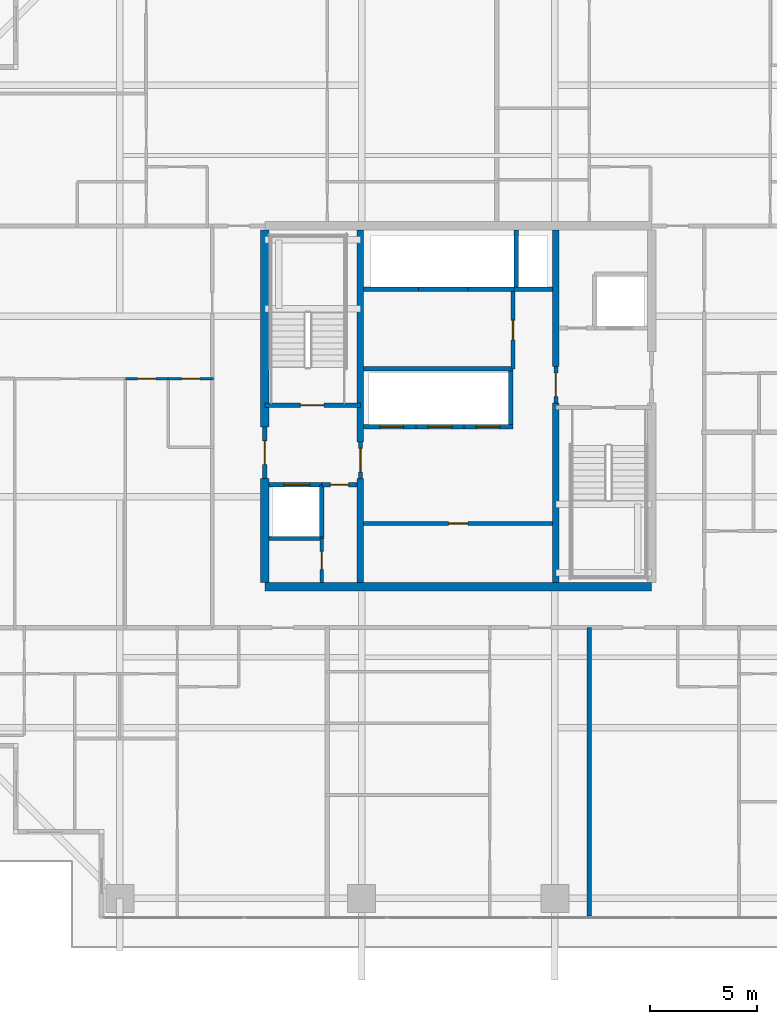
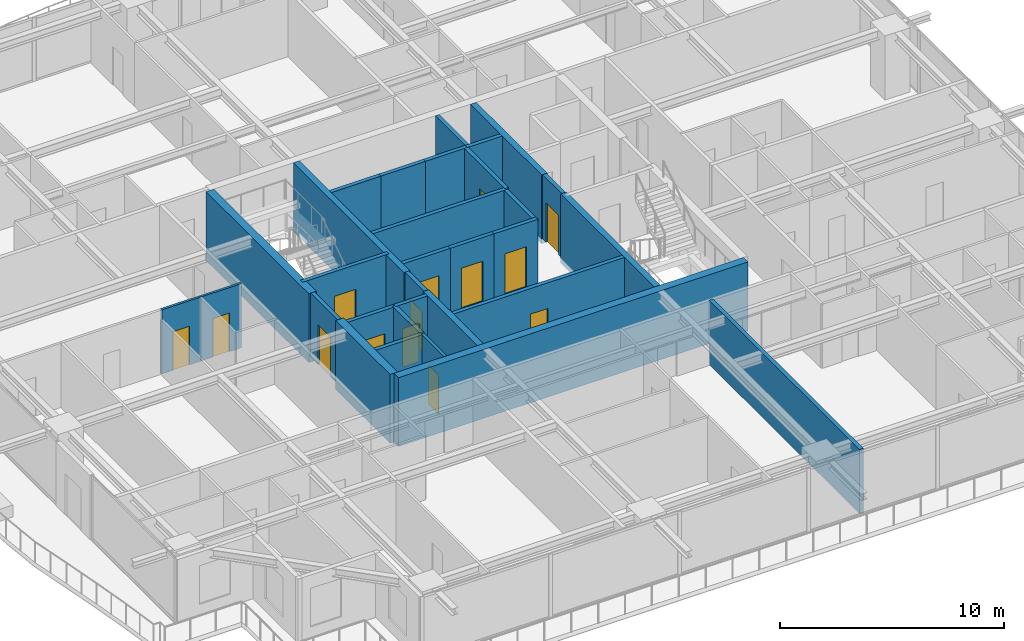
# One storey, part 28 of 38: 31 walls, 14 doors, 14 openings.
"""IFC4 building model written with IfcOpenShell, lengths in metres."""

from ifc_helpers import new_model, si_unit, direction, frame, frame_2d, origin, place, context, subcontext, project, spatial, rectangle, extrude, source, transform, mapped, material, layer, layer_set, type_object, element, fill, save


model = new_model("IFC4")

# Units and contexts
model_context = context("Model", 3, precision=1e-05, world=origin(), true_north=direction((0.0, 1.0)))
body_context = subcontext(model_context, "Body", "Model", "MODEL_VIEW")
ifc_project = project(units=[si_unit("LENGTHUNIT", "METRE"), si_unit("AREAUNIT", "SQUARE_METRE"), si_unit("VOLUMEUNIT", "CUBIC_METRE"), si_unit("PLANEANGLEUNIT", "RADIAN"), si_unit("MASSUNIT", "GRAM", prefix="KILO")], contexts=[model_context])

# Site, building, storey
site_placement = place(None, origin())
site = spatial("IfcSite", under=ifc_project, at=site_placement, CompositionType="ELEMENT")
building_placement = place(site_placement, origin())
building = spatial("IfcBuilding", under=site, at=building_placement, Name="Serunith Strait Residences", CompositionType="ELEMENT")
storey_placement = place(building_placement, frame((0.0, 0.0, 183.89990234375)))
storey = spatial("IfcBuildingStorey", under=building, at=storey_placement, Name="L46", CompositionType="ELEMENT", Elevation=183.89990234375)

# Wall, opening, door
ifc_material_1 = material(Name="Fire-rated masonry service closet wall", Category="masonry")
ifc_layer_1 = layer(ifc_material_1, 0.14990234375, Name="Fire-rated masonry service closet wall")
ifc_layer_set_1 = layer_set([ifc_layer_1], Name="Fire-rated masonry service closet wall")
wall_type_1 = type_object("IfcWallType", Name="IW-BOH-150", PredefinedType="PARTITIONING", material=ifc_layer_set_1)
wall_1_placement = place(storey_placement, frame((26.050048828125, 17.0, 0.0), z_axis=(0.0, 0.0, 1.0), x_axis=(0.0, 1.0, 0.0)))
wall_1 = element("IfcWall", 1, at=wall_1_placement, inside=storey, type_object=wall_type_1, Name="L46 Partition Wall 012", PredefinedType="PARTITIONING", context=body_context, shape_type="SweptSolid", body=[
    extrude(rectangle(XDim=2.048095703125, YDim=0.14990234375, at=frame_2d((1.02392578125, 0.0))), origin(), (0.0, 0.0, 1.0), 3.489990234375),
])
opening_1_placement = place(wall_1_placement, frame((0.59912109375, 0.0, 0.0)))
opening_1 = element("IfcOpeningElement", 2, at=opening_1_placement, cuts=wall_1, Name="Opening FD-850", PredefinedType="OPENING", context=body_context, shape_type="SweptSolid", body=[
    extrude(rectangle(XDim=0.85009765625, YDim=2.10009765625, at=frame_2d((0.425048828125, 1.050048828125))), frame((0.0, 0.0849609375, 0.0), z_axis=(0.0, -1.0, 0.0), x_axis=(1.0, 0.0, 0.0)), (0.0, 0.0, 1.0), 0.169921875),
])
ifc_material_2 = material(Name="Powder-coated steel service closet door", Category="steel")
door_type_1 = type_object("IfcDoorType", Name="FD-BOH-850", OperationType="NOTDEFINED", PredefinedType="DOOR", material=ifc_material_2)
shared_shape_1 = source(origin(), body_context, "Body", "SweptSolid", [
    extrude(rectangle(XDim=0.85009765625, YDim=2.10009765625, at=frame_2d((0.425048828125, 1.050048828125))), frame((0.0, 0.02490234375, 0.0), z_axis=(0.0, -1.0, 0.0), x_axis=(1.0, 0.0, 0.0)), (0.0, 0.0, 1.0), 0.050048828125),
])
door_1_placement = place(opening_1_placement, origin())
door_1 = element("IfcDoor", 3, at=door_1_placement, inside=storey, type_object=door_type_1, Name="L46 Cleaner Store Door", OperationType="SINGLE_SWING_RIGHT", OverallHeight=2.10009765625, OverallWidth=0.85009765625, PredefinedType="DOOR", context=body_context, shape_type="MappedRepresentation", body=[
    mapped(shared_shape_1, transform((0.0, 0.0, 0.0), scale=1.0)),
])
fill(opening_1, door_1)

ifc_material_3 = material(Name="Lightweight steel-stud gypsum partition", Category="steel")
ifc_layer_2 = layer(ifc_material_3, 0.1201171875, Name="Lightweight steel-stud gypsum partition")
ifc_layer_set_2 = layer_set([ifc_layer_2], Name="Lightweight steel-stud gypsum partition")
wall_type_2 = type_object("IfcWallType", Name="IW-PART-120", PredefinedType="PARTITIONING", material=ifc_layer_set_2)
wall_2_placement = place(storey_placement, frame((16.902099609375, 26.489990234375, 0.0), z_axis=(0.0, 0.0, 1.0), x_axis=(1.0, 0.0, 0.0)))
wall_2 = element("IfcWall", 4, at=wall_2_placement, inside=storey, type_object=wall_type_2, Name="L46 Partition Wall 097", PredefinedType="PARTITIONING", context=body_context, shape_type="SweptSolid", body=[
    extrude(rectangle(XDim=1.997802734375, YDim=0.1201171875, at=frame_2d((0.9990234375, 0.0))), origin(), (0.0, 0.0, 1.0), 3.489990234375),
])
opening_2_placement = place(wall_2_placement, frame((0.573974609375, 0.0, 0.0)))
opening_2 = element("IfcOpeningElement", 5, at=opening_2_placement, cuts=wall_2, Name="Opening D-RM850", PredefinedType="OPENING", context=body_context, shape_type="SweptSolid", body=[
    extrude(rectangle(XDim=0.85009765625, YDim=2.10009765625, at=frame_2d((0.425048828125, 1.050048828125))), frame((0.0, 0.070068359375, 0.0), z_axis=(0.0, -1.0, 0.0), x_axis=(1.0, 0.0, 0.0)), (0.0, 0.0, 1.0), 0.14013671875),
])
ifc_material_4 = material(Name="Engineered timber flush study and kitchen door", Category="wood")
door_type_2 = type_object("IfcDoorType", Name="ID-ROOM-850", OperationType="NOTDEFINED", PredefinedType="DOOR", material=ifc_material_4)
door_2_placement = place(opening_2_placement, origin())
door_2 = element("IfcDoor", 6, at=door_2_placement, inside=storey, type_object=door_type_2, Name="L46 Kitchen 4606 Door", OperationType="SINGLE_SWING_LEFT", OverallHeight=2.10009765625, OverallWidth=0.85009765625, PredefinedType="DOOR", context=body_context, shape_type="MappedRepresentation", body=[
    mapped(shared_shape_1, transform((0.0, 0.0, 0.0), scale=1.0)),
])
fill(opening_2, door_2)

wall_3_placement = place(storey_placement, frame((18.902099609375, 26.489990234375, 0.0), z_axis=(0.0, 0.0, 1.0), x_axis=(1.0, 0.0, 0.0)))
wall_3 = element("IfcWall", 7, at=wall_3_placement, inside=storey, type_object=wall_type_2, Name="L46 Partition Wall 098", PredefinedType="PARTITIONING", context=body_context, shape_type="SweptSolid", body=[
    extrude(rectangle(XDim=2.10791015625, YDim=0.1201171875, at=frame_2d((1.053955078125, 0.0))), origin(), (0.0, 0.0, 1.0), 3.489990234375),
])
opening_3_placement = place(wall_3_placement, frame((0.62890625, 0.0, 0.0)))
opening_3 = element("IfcOpeningElement", 8, at=opening_3_placement, cuts=wall_3, Name="Opening D-BTH850", PredefinedType="OPENING", context=body_context, shape_type="SweptSolid", body=[
    extrude(rectangle(XDim=0.85009765625, YDim=2.10009765625, at=frame_2d((0.425048828125, 1.050048828125))), frame((0.0, 0.070068359375, 0.0), z_axis=(0.0, -1.0, 0.0), x_axis=(1.0, 0.0, 0.0)), (0.0, 0.0, 1.0), 0.14013671875),
])
ifc_material_5 = material(Name="Moisture-resistant timber bathroom door", Category="wood")
door_type_3 = type_object("IfcDoorType", Name="ID-BATH-850", OperationType="NOTDEFINED", PredefinedType="DOOR", material=ifc_material_5)
door_3_placement = place(opening_3_placement, origin())
door_3 = element("IfcDoor", 9, at=door_3_placement, inside=storey, type_object=door_type_3, Name="L46 Bathroom 4606 Door", OperationType="SINGLE_SWING_RIGHT", OverallHeight=2.10009765625, OverallWidth=0.85009765625, PredefinedType="DOOR", context=body_context, shape_type="MappedRepresentation", body=[
    mapped(shared_shape_1, transform((0.0, 0.0, 0.0), scale=1.0)),
])
fill(opening_3, door_3)

# Wall
ifc_material_6 = material(Name="Twin-stud acoustic gypsum board partition")
ifc_layer_3 = layer(ifc_material_6, 0.199951171875, Name="Twin-stud acoustic gypsum board partition")
ifc_layer_set_3 = layer_set([ifc_layer_3], Name="Twin-stud acoustic gypsum board partition")
wall_type_3 = type_object("IfcWallType", Name="IW-PARTY-200", PredefinedType="PARTITIONING", material=ifc_layer_set_3)
wall_4_placement = place(storey_placement, frame((38.5, 1.48193359375, 0.0), z_axis=(0.0, 0.0, 1.0), x_axis=(0.0, 1.0, 0.0)))
element("IfcWall", 10, at=wall_4_placement, inside=storey, type_object=wall_type_3, Name="L46 Partition Wall 016", PredefinedType="PARTITIONING", context=body_context, shape_type="SweptSolid", body=[
    extrude(rectangle(XDim=13.41796875, YDim=0.199951171875, at=frame_2d((6.708984375, 0.0))), origin(), (0.0, 0.0, 1.0), 3.489990234375),
])

# Wall, opening, door
ifc_material_7 = material(Name="Autoclaved aerated concrete blockwork", Category="masonry")
ifc_layer_4 = layer(ifc_material_7, 0.199951171875, Name="Autoclaved aerated concrete blockwork")
ifc_layer_set_4 = layer_set([ifc_layer_4], Name="Autoclaved aerated concrete blockwork")
wall_type_4 = type_object("IfcWallType", Name="IW-SHAFT-200", PredefinedType="STANDARD", material=ifc_layer_set_4)
wall_5_placement = place(storey_placement, frame((23.39990234375, 25.25, 0.0), z_axis=(0.0, 0.0, 1.0), x_axis=(1.0, 0.0, 0.0)))
wall_5 = element("IfcWall", 11, at=wall_5_placement, inside=storey, type_object=wall_type_4, Name="L46 ST-1 South Shaft Wall", PredefinedType="STANDARD", context=body_context, shape_type="SweptSolid", body=[
    extrude(rectangle(XDim=4.4501953125, YDim=0.199951171875, at=frame_2d((2.22509765625, 0.0))), origin(), (0.0, 0.0, 1.0), 3.489990234375),
])
opening_4_placement = place(wall_5_placement, frame((1.64990234375, 0.0, 0.0)))
opening_4 = element("IfcOpeningElement", 12, at=opening_4_placement, cuts=wall_5, Name="Opening FD-1100", PredefinedType="OPENING", context=body_context, shape_type="SweptSolid", body=[
    extrude(rectangle(XDim=1.10009765625, YDim=2.14990234375, at=frame_2d((0.550048828125, 1.074951171875))), frame((0.0, 0.10986328125, 0.0), z_axis=(0.0, -1.0, 0.0), x_axis=(1.0, 0.0, 0.0)), (0.0, 0.0, 1.0), 0.219970703125),
])
ifc_material_8 = material(Name="Galvanised steel fire door leaf", Category="steel")
door_type_4 = type_object("IfcDoorType", Name="FD-STAIR-1100", OperationType="NOTDEFINED", PredefinedType="DOOR", material=ifc_material_8)
shared_shape_2 = source(origin(), body_context, "Body", "SweptSolid", [
    extrude(rectangle(XDim=1.10009765625, YDim=2.14990234375, at=frame_2d((0.550048828125, 1.074951171875))), frame((0.0, 0.02490234375, 0.0), z_axis=(0.0, -1.0, 0.0), x_axis=(1.0, 0.0, 0.0)), (0.0, 0.0, 1.0), 0.050048828125),
])
door_4_placement = place(opening_4_placement, origin())
door_4 = element("IfcDoor", 13, at=door_4_placement, inside=storey, type_object=door_type_4, Name="L46 ST-1 Escape Stair Door", OperationType="SINGLE_SWING_RIGHT", OverallHeight=2.14990234375, OverallWidth=1.10009765625, PredefinedType="DOOR", context=body_context, shape_type="MappedRepresentation", body=[
    mapped(shared_shape_2, transform((0.0, 0.0, 0.0), scale=1.0)),
])
fill(opening_4, door_4)

wall_6_placement = place(storey_placement, frame((23.60009765625, 21.550048828125, 0.0), z_axis=(0.0, 0.0, 1.0), x_axis=(1.0, 0.0, 0.0)))
wall_6 = element("IfcWall", 14, at=wall_6_placement, inside=storey, type_object=wall_type_4, Name="L46 FL-1 North Shaft Wall", PredefinedType="STANDARD", context=body_context, shape_type="SweptSolid", body=[
    extrude(rectangle(XDim=2.449951171875, YDim=0.199951171875, at=frame_2d((1.22509765625, 0.0))), origin(), (0.0, 0.0, 1.0), 3.489990234375),
])
opening_5_placement = place(wall_6_placement, frame((0.699951171875, 0.0, 0.0)))
opening_5 = element("IfcOpeningElement", 15, at=opening_5_placement, cuts=wall_6, Name="Opening LD-FF1200", PredefinedType="OPENING", context=body_context, shape_type="SweptSolid", body=[
    extrude(rectangle(XDim=1.199951171875, YDim=2.199951171875, at=frame_2d((0.60009765625, 1.10009765625))), frame((0.0, 0.10986328125, 0.0), z_axis=(0.0, -1.0, 0.0), x_axis=(1.0, 0.0, 0.0)), (0.0, 0.0, 1.0), 0.219970703125),
])
ifc_material_9 = material(Name="Brushed stainless steel landing door", Category="steel")
door_type_5 = type_object("IfcDoorType", Name="LD-FF-1200", OperationType="DOUBLE_DOOR_SLIDING", PredefinedType="DOOR", material=ifc_material_9)
shared_shape_3 = source(origin(), body_context, "Body", "SweptSolid", [
    extrude(rectangle(XDim=1.199951171875, YDim=2.199951171875, at=frame_2d((0.60009765625, 1.10009765625))), frame((0.0, 0.02490234375, 0.0), z_axis=(0.0, -1.0, 0.0), x_axis=(1.0, 0.0, 0.0)), (0.0, 0.0, 1.0), 0.050048828125),
])
door_5_placement = place(opening_5_placement, origin())
door_5 = element("IfcDoor", 16, at=door_5_placement, inside=storey, type_object=door_type_5, Name="L46 FL-1 Landing Door", OperationType="DOUBLE_DOOR_SLIDING", OverallHeight=2.199951171875, OverallWidth=1.199951171875, PredefinedType="DOOR", context=body_context, shape_type="MappedRepresentation", body=[
    mapped(shared_shape_3, transform((0.0, 0.0, 0.0), scale=1.0)),
])
fill(opening_5, door_5)

wall_7_placement = place(storey_placement, frame((28.0, 24.25, 0.0), z_axis=(0.0, 0.0, 1.0), x_axis=(1.0, 0.0, 0.0)))
wall_7 = element("IfcWall", 17, at=wall_7_placement, inside=storey, type_object=wall_type_4, Name="L46 PL-4 South Shaft Wall", PredefinedType="STANDARD", context=body_context, shape_type="SweptSolid", body=[
    extrude(rectangle(XDim=2.425048828125, YDim=0.199951171875, at=frame_2d((1.21240234375, 0.0))), origin(), (0.0, 0.0, 1.0), 3.489990234375),
])
opening_6_placement = place(wall_7_placement, frame((0.75, 0.0, 0.0)))
opening_6 = element("IfcOpeningElement", 18, at=opening_6_placement, cuts=wall_7, Name="Opening LD-1100", PredefinedType="OPENING", context=body_context, shape_type="SweptSolid", body=[
    extrude(rectangle(XDim=1.10009765625, YDim=2.199951171875, at=frame_2d((0.550048828125, 1.10009765625))), frame((0.0, 0.10986328125, 0.0), z_axis=(0.0, -1.0, 0.0), x_axis=(1.0, 0.0, 0.0)), (0.0, 0.0, 1.0), 0.219970703125),
])
ifc_material_10 = material(Name="Pale-champagne stainless landing door")
door_type_6 = type_object("IfcDoorType", Name="LD-LIFT-1100", OperationType="DOUBLE_DOOR_SLIDING", PredefinedType="DOOR", material=ifc_material_10)
shared_shape_4 = source(origin(), body_context, "Body", "SweptSolid", [
    extrude(rectangle(XDim=1.10009765625, YDim=2.199951171875, at=frame_2d((0.550048828125, 1.10009765625))), frame((0.0, 0.02490234375, 0.0), z_axis=(0.0, -1.0, 0.0), x_axis=(1.0, 0.0, 0.0)), (0.0, 0.0, 1.0), 0.050048828125),
])
door_6_placement = place(opening_6_placement, origin())
door_6 = element("IfcDoor", 19, at=door_6_placement, inside=storey, type_object=door_type_6, Name="L46 PL-4 Landing Door", OperationType="DOUBLE_DOOR_SLIDING", OverallHeight=2.199951171875, OverallWidth=1.10009765625, PredefinedType="DOOR", context=body_context, shape_type="MappedRepresentation", body=[
    mapped(shared_shape_4, transform((0.0, 0.0, 0.0), scale=1.0)),
])
fill(opening_6, door_6)

wall_8_placement = place(storey_placement, frame((30.425048828125, 24.25, 0.0), z_axis=(0.0, 0.0, 1.0), x_axis=(1.0, 0.0, 0.0)))
wall_8 = element("IfcWall", 20, at=wall_8_placement, inside=storey, type_object=wall_type_4, Name="L46 PL-5 South Shaft Wall", PredefinedType="STANDARD", context=body_context, shape_type="SweptSolid", body=[
    extrude(rectangle(XDim=2.25, YDim=0.199951171875, at=frame_2d((1.125, 0.0))), origin(), (0.0, 0.0, 1.0), 3.489990234375),
])
opening_7_placement = place(wall_8_placement, frame((0.574951171875, 0.0, 0.0)))
opening_7 = element("IfcOpeningElement", 21, at=opening_7_placement, cuts=wall_8, Name="Opening LD-1100", PredefinedType="OPENING", context=body_context, shape_type="SweptSolid", body=[
    extrude(rectangle(XDim=1.10009765625, YDim=2.199951171875, at=frame_2d((0.550048828125, 1.10009765625))), frame((0.0, 0.10986328125, 0.0), z_axis=(0.0, -1.0, 0.0), x_axis=(1.0, 0.0, 0.0)), (0.0, 0.0, 1.0), 0.219970703125),
])
door_7_placement = place(opening_7_placement, origin())
door_7 = element("IfcDoor", 22, at=door_7_placement, inside=storey, type_object=door_type_6, Name="L46 PL-5 Landing Door", OperationType="DOUBLE_DOOR_SLIDING", OverallHeight=2.199951171875, OverallWidth=1.10009765625, PredefinedType="DOOR", context=body_context, shape_type="MappedRepresentation", body=[
    mapped(shared_shape_4, transform((0.0, 0.0, 0.0), scale=1.0)),
])
fill(opening_7, door_7)

wall_9_placement = place(storey_placement, frame((32.675048828125, 24.25, 0.0), z_axis=(0.0, 0.0, 1.0), x_axis=(1.0, 0.0, 0.0)))
wall_9 = element("IfcWall", 23, at=wall_9_placement, inside=storey, type_object=wall_type_4, Name="L46 PL-6 South Shaft Wall", PredefinedType="STANDARD", context=body_context, shape_type="SweptSolid", body=[
    extrude(rectangle(XDim=2.27490234375, YDim=0.199951171875, at=frame_2d((1.137451171875, 0.0))), origin(), (0.0, 0.0, 1.0), 3.489990234375),
])
opening_8_placement = place(wall_9_placement, frame((0.574951171875, 0.0, 0.0)))
opening_8 = element("IfcOpeningElement", 24, at=opening_8_placement, cuts=wall_9, Name="Opening LD-1100", PredefinedType="OPENING", context=body_context, shape_type="SweptSolid", body=[
    extrude(rectangle(XDim=1.10009765625, YDim=2.199951171875, at=frame_2d((0.550048828125, 1.10009765625))), frame((0.0, 0.10986328125, 0.0), z_axis=(0.0, -1.0, 0.0), x_axis=(1.0, 0.0, 0.0)), (0.0, 0.0, 1.0), 0.219970703125),
])
door_8_placement = place(opening_8_placement, origin())
door_8 = element("IfcDoor", 25, at=door_8_placement, inside=storey, type_object=door_type_6, Name="L46 PL-6 Landing Door", OperationType="DOUBLE_DOOR_SLIDING", OverallHeight=2.199951171875, OverallWidth=1.10009765625, PredefinedType="DOOR", context=body_context, shape_type="MappedRepresentation", body=[
    mapped(shared_shape_4, transform((0.0, 0.0, 0.0), scale=1.0)),
])
fill(opening_8, door_8)

# Walls
wall_10_placement = place(storey_placement, frame((34.85009765625, 24.35009765625, 0.0), z_axis=(0.0, 0.0, 1.0), x_axis=(0.0, 1.0, 0.0)))
element("IfcWall", 26, at=wall_10_placement, inside=storey, type_object=wall_type_4, Name="L46 PL-6 East Shaft Wall", PredefinedType="STANDARD", context=body_context, shape_type="SweptSolid", body=[
    extrude(rectangle(XDim=2.5, YDim=0.199951171875, at=frame_2d((1.25, 0.0))), origin(), (0.0, 0.0, 1.0), 3.489990234375),
])
wall_11_placement = place(storey_placement, frame((28.0, 30.64990234375, 0.0), z_axis=(0.0, 0.0, 1.0), x_axis=(1.0, 0.0, 0.0)))
element("IfcWall", 27, at=wall_11_placement, inside=storey, type_object=wall_type_4, Name="L46 PL-7 South Shaft Wall", PredefinedType="STANDARD", context=body_context, shape_type="SweptSolid", body=[
    extrude(rectangle(XDim=2.550048828125, YDim=0.199951171875, at=frame_2d((1.27490234375, 0.0))), origin(), (0.0, 0.0, 1.0), 3.489990234375),
])
wall_12_placement = place(storey_placement, frame((30.550048828125, 30.64990234375, 0.0), z_axis=(0.0, 0.0, 1.0), x_axis=(1.0, 0.0, 0.0)))
element("IfcWall", 28, at=wall_12_placement, inside=storey, type_object=wall_type_4, Name="L46 PL-8 South Shaft Wall", PredefinedType="STANDARD", context=body_context, shape_type="SweptSolid", body=[
    extrude(rectangle(XDim=2.300048828125, YDim=0.199951171875, at=frame_2d((1.14990234375, 0.0))), origin(), (0.0, 0.0, 1.0), 3.489990234375),
])
wall_13_placement = place(storey_placement, frame((32.85009765625, 30.64990234375, 0.0), z_axis=(0.0, 0.0, 1.0), x_axis=(1.0, 0.0, 0.0)))
element("IfcWall", 29, at=wall_13_placement, inside=storey, type_object=wall_type_4, Name="L46 PL-9 South Shaft Wall", PredefinedType="STANDARD", context=body_context, shape_type="SweptSolid", body=[
    extrude(rectangle(XDim=2.14990234375, YDim=0.199951171875, at=frame_2d((1.074951171875, 0.0))), origin(), (0.0, 0.0, 1.0), 3.489990234375),
])
wall_14_placement = place(storey_placement, frame((35.0, 30.64990234375, 0.0), z_axis=(0.0, 0.0, 1.0), x_axis=(1.0, 0.0, 0.0)))
element("IfcWall", 30, at=wall_14_placement, inside=storey, type_object=wall_type_4, Name="L46 SL-1 South Shaft Wall", PredefinedType="STANDARD", context=body_context, shape_type="SweptSolid", body=[
    extrude(rectangle(XDim=1.800048828125, YDim=0.199951171875, at=frame_2d((0.89990234375, 0.0))), origin(), (0.0, 0.0, 1.0), 3.489990234375),
])
wall_15_placement = place(storey_placement, frame((35.10009765625, 30.75, 0.0), z_axis=(0.0, 0.0, 1.0), x_axis=(0.0, 1.0, 0.0)))
element("IfcWall", 31, at=wall_15_placement, inside=storey, type_object=wall_type_4, Name="L46 SL-1 West Shaft Wall", PredefinedType="STANDARD", context=body_context, shape_type="SweptSolid", body=[
    extrude(rectangle(XDim=2.64990234375, YDim=0.199951171875, at=frame_2d((1.324951171875, 0.0))), origin(), (0.0, 0.0, 1.0), 3.489990234375),
])
wall_16_placement = place(storey_placement, frame((26.050048828125, 19.050048828125, 0.0), z_axis=(0.0, 0.0, 1.0), x_axis=(0.0, 1.0, 0.0)))
element("IfcWall", 32, at=wall_16_placement, inside=storey, type_object=wall_type_4, Name="L46 Partition Wall 001", PredefinedType="STANDARD", context=body_context, shape_type="SweptSolid", body=[
    extrude(rectangle(XDim=2.5, YDim=0.199951171875, at=frame_2d((1.25, 0.0))), origin(), (0.0, 0.0, 1.0), 3.489990234375),
])
wall_17_placement = place(storey_placement, frame((23.60009765625, 19.050048828125, 0.0), z_axis=(0.0, 0.0, 1.0), x_axis=(1.0, 0.0, 0.0)))
element("IfcWall", 33, at=wall_17_placement, inside=storey, type_object=wall_type_4, Name="L46 Partition Wall 002", PredefinedType="STANDARD", context=body_context, shape_type="SweptSolid", body=[
    extrude(rectangle(XDim=2.449951171875, YDim=0.199951171875, at=frame_2d((1.22509765625, 0.0))), origin(), (0.0, 0.0, 1.0), 3.489990234375),
])

# Wall, opening, door
wall_18_placement = place(storey_placement, frame((26.052001953125, 21.550048828125, 0.0), z_axis=(0.0, 0.0, 1.0), x_axis=(1.0, 0.0, 0.0)))
wall_18 = element("IfcWall", 34, at=wall_18_placement, inside=storey, type_object=wall_type_4, Name="L46 Partition Wall 003", PredefinedType="STANDARD", context=body_context, shape_type="SweptSolid", body=[
    extrude(rectangle(XDim=1.64794921875, YDim=0.199951171875, at=frame_2d((0.823974609375, 0.0))), origin(), (0.0, 0.0, 1.0), 3.489990234375),
])
opening_9_placement = place(wall_18_placement, frame((0.39892578125, 0.0, 0.0)))
opening_9 = element("IfcOpeningElement", 35, at=opening_9_placement, cuts=wall_18, Name="Opening FD-850", PredefinedType="OPENING", context=body_context, shape_type="SweptSolid", body=[
    extrude(rectangle(XDim=0.85009765625, YDim=2.10009765625, at=frame_2d((0.425048828125, 1.050048828125))), frame((0.0, 0.10986328125, 0.0), z_axis=(0.0, -1.0, 0.0), x_axis=(1.0, 0.0, 0.0)), (0.0, 0.0, 1.0), 0.219970703125),
])
door_9_placement = place(opening_9_placement, origin())
door_9 = element("IfcDoor", 36, at=door_9_placement, inside=storey, type_object=door_type_1, Name="L46 South-West Core Service Door", OperationType="SINGLE_SWING_RIGHT", OverallHeight=2.10009765625, OverallWidth=0.85009765625, PredefinedType="DOOR", context=body_context, shape_type="MappedRepresentation", body=[
    mapped(shared_shape_1, transform((0.0, 0.0, 0.0), scale=1.0)),
])
fill(opening_9, door_9)

wall_19_placement = place(storey_placement, frame((23.39990234375, 21.85205078125, 0.0), z_axis=(0.0, 0.0, 1.0), x_axis=(0.0, 1.0, 0.0)))
wall_19 = element("IfcWall", 37, at=wall_19_placement, inside=storey, type_object=wall_type_4, Name="L46 Partition Wall 007", PredefinedType="STANDARD", context=body_context, shape_type="SweptSolid", body=[
    extrude(rectangle(XDim=2.39599609375, YDim=0.199951171875, at=frame_2d((1.197998046875, 0.0))), origin(), (0.0, 0.0, 1.0), 3.489990234375),
])
opening_10_placement = place(wall_19_placement, frame((0.64794921875, 0.0, 0.0)))
opening_10 = element("IfcOpeningElement", 38, at=opening_10_placement, cuts=wall_19, Name="Opening FD-FFL", PredefinedType="OPENING", context=body_context, shape_type="SweptSolid", body=[
    extrude(rectangle(XDim=1.10009765625, YDim=2.14990234375, at=frame_2d((0.550048828125, 1.074951171875))), frame((0.0, 0.10986328125, 0.0), z_axis=(0.0, -1.0, 0.0), x_axis=(1.0, 0.0, 0.0)), (0.0, 0.0, 1.0), 0.219970703125),
])
ifc_material_11 = material(Name="Glazed steel smoke-lobby fire door", Category="steel")
door_type_7 = type_object("IfcDoorType", Name="FD-FFL-1100", OperationType="NOTDEFINED", PredefinedType="DOOR", material=ifc_material_11)
door_10_placement = place(opening_10_placement, origin())
door_10 = element("IfcDoor", 39, at=door_10_placement, inside=storey, type_object=door_type_7, Name="L46 FFL-1 Corridor Fire Door", OperationType="SINGLE_SWING_RIGHT", OverallHeight=2.14990234375, OverallWidth=1.10009765625, PredefinedType="DOOR", context=body_context, shape_type="MappedRepresentation", body=[
    mapped(shared_shape_2, transform((0.0, 0.0, 0.0), scale=1.0)),
])
fill(opening_10, door_10)

wall_20_placement = place(storey_placement, frame((27.85009765625, 21.85205078125, 0.0), z_axis=(0.0, 0.0, 1.0), x_axis=(0.0, 1.0, 0.0)))
wall_20 = element("IfcWall", 40, at=wall_20_placement, inside=storey, type_object=wall_type_4, Name="L46 Partition Wall 009", PredefinedType="STANDARD", context=body_context, shape_type="SweptSolid", body=[
    extrude(rectangle(XDim=1.696044921875, YDim=0.199951171875, at=frame_2d((0.84814453125, 0.0))), origin(), (0.0, 0.0, 1.0), 3.489990234375),
])
opening_11_placement = place(wall_20_placement, frame((0.298095703125, 0.0, 0.0)))
opening_11 = element("IfcOpeningElement", 41, at=opening_11_placement, cuts=wall_20, Name="Opening FD-FFL", PredefinedType="OPENING", context=body_context, shape_type="SweptSolid", body=[
    extrude(rectangle(XDim=1.10009765625, YDim=2.14990234375, at=frame_2d((0.550048828125, 1.074951171875))), frame((0.0, 0.10986328125, 0.0), z_axis=(0.0, -1.0, 0.0), x_axis=(1.0, 0.0, 0.0)), (0.0, 0.0, 1.0), 0.219970703125),
])
door_11_placement = place(opening_11_placement, origin())
door_11 = element("IfcDoor", 42, at=door_11_placement, inside=storey, type_object=door_type_7, Name="L46 FFL-1 Lift Lobby Door", OperationType="SINGLE_SWING_RIGHT", OverallHeight=2.14990234375, OverallWidth=1.10009765625, PredefinedType="DOOR", context=body_context, shape_type="MappedRepresentation", body=[
    mapped(shared_shape_2, transform((0.0, 0.0, 0.0), scale=1.0)),
])
fill(opening_11, door_11)

wall_21_placement = place(storey_placement, frame((36.949951171875, 25.35205078125, 0.0), z_axis=(0.0, 0.0, 1.0), x_axis=(0.0, 1.0, 0.0)))
wall_21 = element("IfcWall", 43, at=wall_21_placement, inside=storey, type_object=wall_type_4, Name="L46 Partition Wall 010", PredefinedType="STANDARD", context=body_context, shape_type="SweptSolid", body=[
    extrude(rectangle(XDim=1.696044921875, YDim=0.199951171875, at=frame_2d((0.84814453125, 0.0))), origin(), (0.0, 0.0, 1.0), 3.489990234375),
])
opening_12_placement = place(wall_21_placement, frame((0.298095703125, 0.0, 0.0)))
opening_12 = element("IfcOpeningElement", 44, at=opening_12_placement, cuts=wall_21, Name="Opening FD-FFL", PredefinedType="OPENING", context=body_context, shape_type="SweptSolid", body=[
    extrude(rectangle(XDim=1.10009765625, YDim=2.14990234375, at=frame_2d((0.550048828125, 1.074951171875))), frame((0.0, 0.10986328125, 0.0), z_axis=(0.0, -1.0, 0.0), x_axis=(1.0, 0.0, 0.0)), (0.0, 0.0, 1.0), 0.219970703125),
])
door_12_placement = place(opening_12_placement, origin())
door_12 = element("IfcDoor", 45, at=door_12_placement, inside=storey, type_object=door_type_7, Name="L46 FFL-2 Lift Lobby Door", OperationType="SINGLE_SWING_LEFT", OverallHeight=2.14990234375, OverallWidth=1.10009765625, PredefinedType="DOOR", context=body_context, shape_type="MappedRepresentation", body=[
    mapped(shared_shape_2, transform((0.0, 0.0, 0.0), scale=1.0)),
])
fill(opening_12, door_12)

# Wall
wall_22_placement = place(storey_placement, frame((28.0, 26.949951171875, 0.0), z_axis=(0.0, 0.0, 1.0), x_axis=(1.0, 0.0, 0.0)))
element("IfcWall", 46, at=wall_22_placement, inside=storey, type_object=wall_type_4, Name="L46 Partition Wall 011", PredefinedType="STANDARD", context=body_context, shape_type="SweptSolid", body=[
    extrude(rectangle(XDim=6.949951171875, YDim=0.199951171875, at=frame_2d((3.47509765625, 0.0))), origin(), (0.0, 0.0, 1.0), 3.489990234375),
])

# Wall, opening, door
wall_23_placement = place(storey_placement, frame((34.949951171875, 26.949951171875, 0.0), z_axis=(0.0, 0.0, 1.0), x_axis=(0.0, 1.0, 0.0)))
wall_23 = element("IfcWall", 47, at=wall_23_placement, inside=storey, type_object=wall_type_4, Name="L46 Partition Wall 013", PredefinedType="STANDARD", context=body_context, shape_type="SweptSolid", body=[
    extrude(rectangle(XDim=3.60009765625, YDim=0.199951171875, at=frame_2d((1.800048828125, 0.0))), origin(), (0.0, 0.0, 1.0), 3.489990234375),
])
opening_13_placement = place(wall_23_placement, frame((1.35009765625, 0.0, 0.0)))
opening_13 = element("IfcOpeningElement", 48, at=opening_13_placement, cuts=wall_23, Name="Opening FD-900", PredefinedType="OPENING", context=body_context, shape_type="SweptSolid", body=[
    extrude(rectangle(XDim=0.89990234375, YDim=2.10009765625, at=frame_2d((0.449951171875, 1.050048828125))), frame((0.0, 0.10986328125, 0.0), z_axis=(0.0, -1.0, 0.0), x_axis=(1.0, 0.0, 0.0)), (0.0, 0.0, 1.0), 0.219970703125),
])
ifc_material_12 = material(Name="Powder-coated steel riser door", Category="steel")
door_type_8 = type_object("IfcDoorType", Name="FD-BOH-900", OperationType="NOTDEFINED", PredefinedType="DOOR", material=ifc_material_12)
shared_shape_5 = source(origin(), body_context, "Body", "SweptSolid", [
    extrude(rectangle(XDim=0.89990234375, YDim=2.10009765625, at=frame_2d((0.449951171875, 1.050048828125))), frame((0.0, 0.02490234375, 0.0), z_axis=(0.0, -1.0, 0.0), x_axis=(1.0, 0.0, 0.0)), (0.0, 0.0, 1.0), 0.050048828125),
])
door_13_placement = place(opening_13_placement, origin())
door_13 = element("IfcDoor", 49, at=door_13_placement, inside=storey, type_object=door_type_8, Name="L46 Core Switchroom Door", OperationType="SINGLE_SWING_LEFT", OverallHeight=2.10009765625, OverallWidth=0.89990234375, PredefinedType="DOOR", context=body_context, shape_type="MappedRepresentation", body=[
    mapped(shared_shape_5, transform((0.0, 0.0, 0.0), scale=1.0)),
])
fill(opening_13, door_13)

wall_24_placement = place(storey_placement, frame((28.0, 19.75, 0.0), z_axis=(0.0, 0.0, 1.0), x_axis=(1.0, 0.0, 0.0)))
wall_24 = element("IfcWall", 50, at=wall_24_placement, inside=storey, type_object=wall_type_4, Name="L46 Partition Wall 014", PredefinedType="STANDARD", context=body_context, shape_type="SweptSolid", body=[
    extrude(rectangle(XDim=8.800048828125, YDim=0.199951171875, at=frame_2d((4.39990234375, 0.0))), origin(), (0.0, 0.0, 1.0), 3.489990234375),
])
opening_14_placement = place(wall_24_placement, frame((3.949951171875, 0.0, 0.0)))
opening_14 = element("IfcOpeningElement", 51, at=opening_14_placement, cuts=wall_24, Name="Opening FD-900", PredefinedType="OPENING", context=body_context, shape_type="SweptSolid", body=[
    extrude(rectangle(XDim=0.89990234375, YDim=2.10009765625, at=frame_2d((0.449951171875, 1.050048828125))), frame((0.0, 0.10986328125, 0.0), z_axis=(0.0, -1.0, 0.0), x_axis=(1.0, 0.0, 0.0)), (0.0, 0.0, 1.0), 0.219970703125),
])
door_14_placement = place(opening_14_placement, origin())
door_14 = element("IfcDoor", 52, at=door_14_placement, inside=storey, type_object=door_type_8, Name="L46 Reclaimed BMS Plant Door", OperationType="SINGLE_SWING_RIGHT", OverallHeight=2.10009765625, OverallWidth=0.89990234375, PredefinedType="DOOR", context=body_context, shape_type="MappedRepresentation", body=[
    mapped(shared_shape_5, transform((0.0, 0.0, 0.0), scale=1.0)),
])
fill(opening_14, door_14)

# Walls
ifc_material_13 = material(Name="Concrete C70/85", Category="concrete")
ifc_layer_5 = layer(ifc_material_13, 0.300048828125, Name="Concrete C70/85")
ifc_layer_set_5 = layer_set([ifc_layer_5], Name="Concrete C70/85")
wall_type_5 = type_object("IfcWallType", Name="SW-300-C70", PredefinedType="SHEAR", material=ifc_layer_set_5)
wall_25_placement = place(storey_placement, frame((27.85009765625, 17.0, -0.260009765625), z_axis=(0.0, 0.0, 1.0), x_axis=(0.0, 1.0, 0.0)))
element("IfcWall", 53, at=wall_25_placement, inside=storey, type_object=wall_type_5, Name="L46 Core Internal West Web South Pier", PredefinedType="SHEAR", context=body_context, shape_type="SweptSolid", body=[
    extrude(rectangle(XDim=4.85009765625, YDim=0.300048828125, at=frame_2d((2.425048828125, 0.0))), origin(), (0.0, 0.0, 1.0), 3.748046875),
])
wall_26_placement = place(storey_placement, frame((27.85009765625, 23.550048828125, -0.260009765625), z_axis=(0.0, 0.0, 1.0), x_axis=(0.0, 1.0, 0.0)))
element("IfcWall", 54, at=wall_26_placement, inside=storey, type_object=wall_type_5, Name="L46 Core Internal West Web North Pier", PredefinedType="SHEAR", context=body_context, shape_type="SweptSolid", body=[
    extrude(rectangle(XDim=9.849853515625, YDim=0.300048828125, at=frame_2d((4.9248046875, 0.0))), origin(), (0.0, 0.0, 1.0), 3.748046875),
])
wall_27_placement = place(storey_placement, frame((36.949951171875, 17.0, -0.260009765625), z_axis=(0.0, 0.0, 1.0), x_axis=(0.0, 1.0, 0.0)))
element("IfcWall", 55, at=wall_27_placement, inside=storey, type_object=wall_type_5, Name="L46 Core Internal East Web South Pier", PredefinedType="SHEAR", context=body_context, shape_type="SweptSolid", body=[
    extrude(rectangle(XDim=8.35009765625, YDim=0.300048828125, at=frame_2d((4.175048828125, 0.0))), origin(), (0.0, 0.0, 1.0), 3.748046875),
])
wall_28_placement = place(storey_placement, frame((36.949951171875, 27.050048828125, -0.260009765625), z_axis=(0.0, 0.0, 1.0), x_axis=(0.0, 1.0, 0.0)))
element("IfcWall", 56, at=wall_28_placement, inside=storey, type_object=wall_type_5, Name="L46 Core Internal East Web North Pier", PredefinedType="SHEAR", context=body_context, shape_type="SweptSolid", body=[
    extrude(rectangle(XDim=6.349853515625, YDim=0.300048828125, at=frame_2d((3.1748046875, 0.0))), origin(), (0.0, 0.0, 1.0), 3.748046875),
])
ifc_layer_6 = layer(ifc_material_13, 0.39990234375, Name="Concrete C70/85")
ifc_layer_set_6 = layer_set([ifc_layer_6], Name="Concrete C70/85")
wall_type_6 = type_object("IfcWallType", Name="SW-400-C70", PredefinedType="SHEAR", material=ifc_layer_set_6)
wall_29_placement = place(storey_placement, frame((23.39990234375, 16.800048828125, -0.260009765625), z_axis=(0.0, 0.0, 1.0), x_axis=(1.0, 0.0, 0.0)))
element("IfcWall", 57, at=wall_29_placement, inside=storey, type_object=wall_type_6, Name="L46 Core South Shear Wall", PredefinedType="SHEAR", context=body_context, shape_type="SweptSolid", body=[
    extrude(rectangle(XDim=18.0, YDim=0.39990234375, at=frame_2d((9.0, 0.0))), origin(), (0.0, 0.0, 1.0), 3.748046875),
])
wall_30_placement = place(storey_placement, frame((23.39990234375, 17.0, -0.260009765625), z_axis=(0.0, 0.0, 1.0), x_axis=(0.0, 1.0, 0.0)))
element("IfcWall", 58, at=wall_30_placement, inside=storey, type_object=wall_type_6, Name="L46 Core West Shear Wall South Pier", PredefinedType="SHEAR", context=body_context, shape_type="SweptSolid", body=[
    extrude(rectangle(XDim=4.85009765625, YDim=0.39990234375, at=frame_2d((2.425048828125, 0.0))), origin(), (0.0, 0.0, 1.0), 3.748046875),
])
wall_31_placement = place(storey_placement, frame((23.39990234375, 24.25, -0.260009765625), z_axis=(0.0, 0.0, 1.0), x_axis=(0.0, 1.0, 0.0)))
element("IfcWall", 59, at=wall_31_placement, inside=storey, type_object=wall_type_6, Name="L46 Core West Shear Wall North Pier", PredefinedType="SHEAR", context=body_context, shape_type="SweptSolid", body=[
    extrude(rectangle(XDim=9.14990234375, YDim=0.39990234375, at=frame_2d((4.574951171875, 0.0))), origin(), (0.0, 0.0, 1.0), 3.748046875),
])

save(model, "model.ifc")
